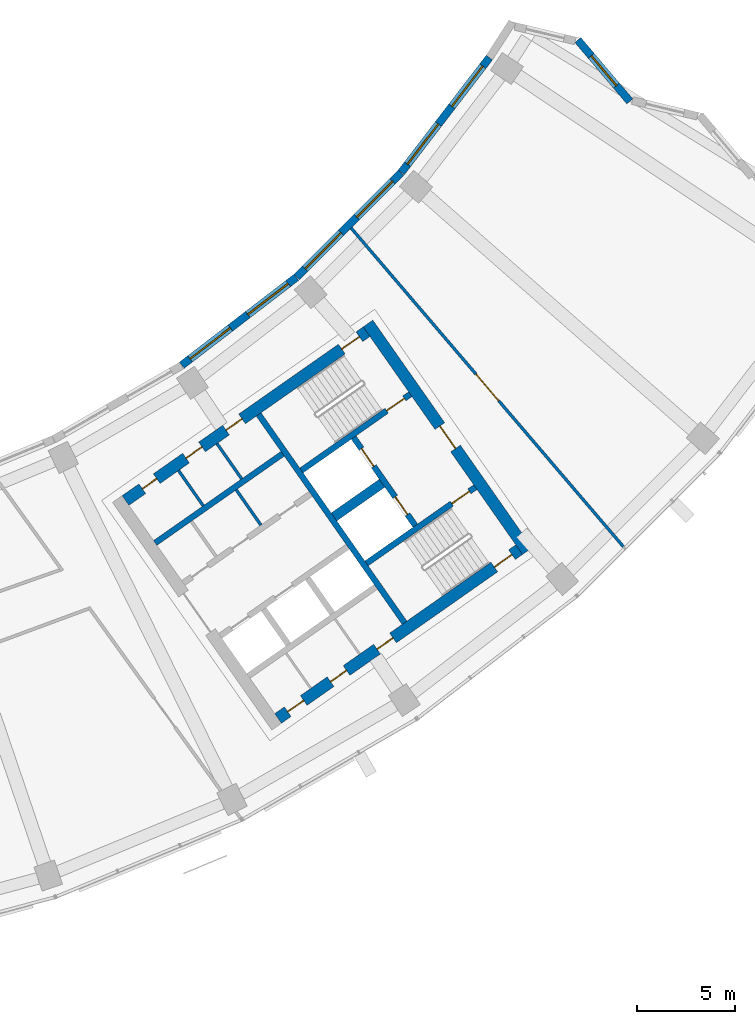
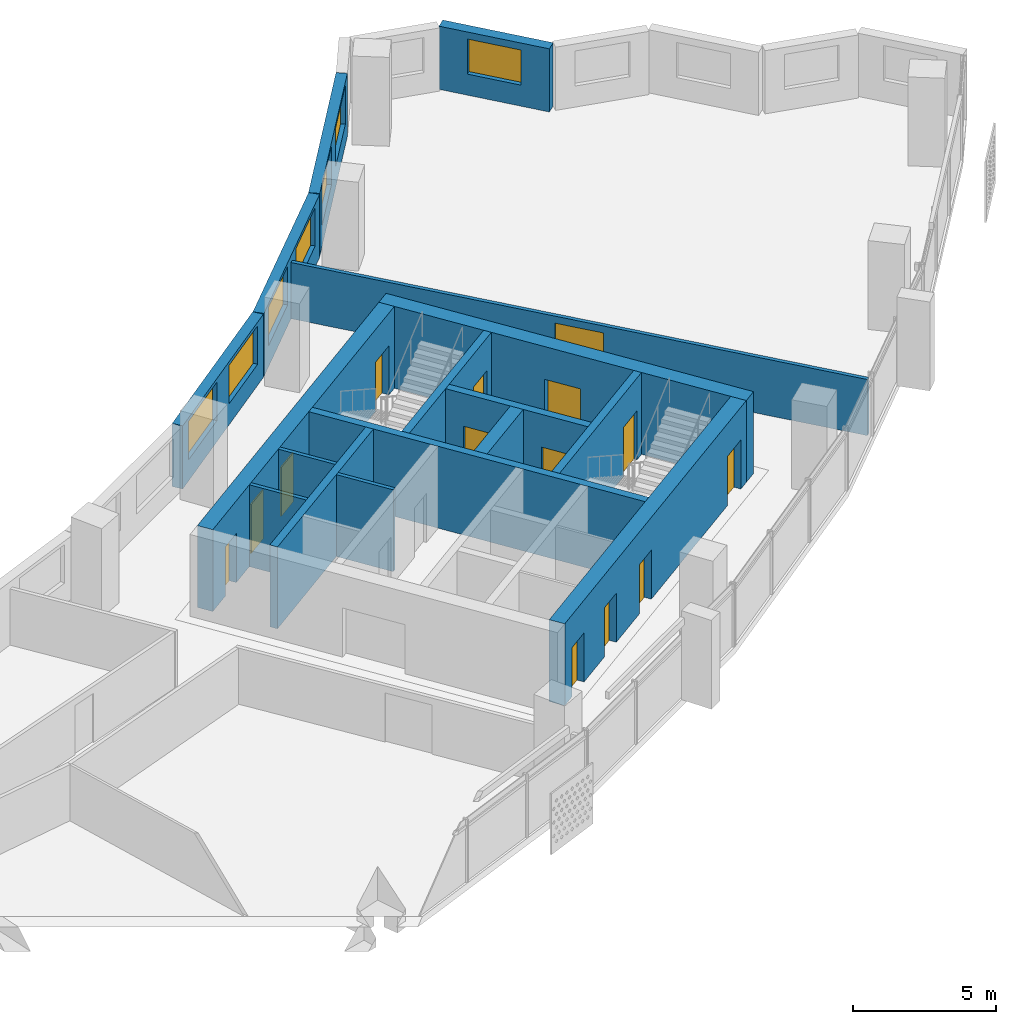
# One storey, part 7 of 27: 17 walls, 14 doors, 7 windows, 21 openings.
"""IFC4 building model written with IfcOpenShell, lengths in metres."""

import ifcopenshell
import ifcopenshell.guid

model = None  # the IFC model being written
_history = None  # IfcOwnerHistory: only IFC2X3 demands one
_inside = {}  # id of a spatial element -> (the spatial element, [elements in it])
_under = {}  # id of a project, library or spatial element -> (it, [spatial elements below it])
_declared = {}  # id of a project -> (the project, [libraries it declares])
_typed = {}  # id of a type object -> (the type object, [elements of that type])
_made_of = {}  # id of a material, layer set ... -> (it, [elements and type objects made of it])


def new_model(schema):
    """Start an empty IFC model of exactly this schema.

    Asked for "IFC4X3", IfcOpenShell would pick the latest addendum, in which some entities
    have other attributes; the version numbers below select the first issue.
    IFC2X3 requires an IfcOwnerHistory on every rooted entity: one is made here for all.
    """
    global model, _history
    if schema == "IFC4X3":
        model = ifcopenshell.file(schema_version=(4, 3, 0, 0))
    else:
        model = ifcopenshell.file(schema=schema)
    _inside.clear()
    _under.clear()
    _declared.clear()
    _typed.clear()
    _made_of.clear()
    _history = None
    if model.schema == "IFC2X3":
        org = make("IfcOrganization", Name="unknown")
        user = make(
            "IfcPersonAndOrganization",
            ThePerson=make("IfcPerson", FamilyName="unknown"),
            TheOrganization=org,
        )
        app = make(
            "IfcApplication",
            ApplicationDeveloper=org,
            Version="unknown",
            ApplicationFullName="unknown",
            ApplicationIdentifier="unknown",
        )
        _history = make(
            "IfcOwnerHistory",
            OwningUser=user,
            OwningApplication=app,
            ChangeAction="ADDED",
            CreationDate=0,
        )
    return model


def make(cls, **values):
    """One entity of the class cls with the attributes given. An attribute that is None is left unset."""
    return model.create_entity(
        cls, **{name: value for name, value in values.items() if value is not None}
    )


def rooted(cls, **values):
    """An entity with a GlobalId (a new one), such as an element, a storey or a relation."""
    return make(cls, GlobalId=ifcopenshell.guid.new(), OwnerHistory=_history, **values)


def si_unit(unit_type, name, prefix=None):
    """IfcSIUnit, for example si_unit("LENGTHUNIT", "METRE", prefix="MILLI")."""
    return make("IfcSIUnit", UnitType=unit_type, Prefix=prefix, Name=name)


def assignment(units):
    """IfcUnitAssignment: the units of a project."""
    return None if units is None else make("IfcUnitAssignment", Units=units)


def point(xyz):
    """IfcCartesianPoint."""
    return None if xyz is None else make("IfcCartesianPoint", Coordinates=xyz)


def direction(xyz):
    """IfcDirection."""
    return None if xyz is None else make("IfcDirection", DirectionRatios=xyz)


def frame(location, z_axis=None, x_axis=None):
    """IfcAxis2Placement3D, a coordinate frame: its origin and axes. An axis left out is left unset."""
    return make(
        "IfcAxis2Placement3D",
        Location=point(location),
        Axis=direction(z_axis),
        RefDirection=direction(x_axis),
    )


def frame_2d(location, x_axis=None):
    """IfcAxis2Placement2D, a coordinate frame in the plane: its origin and x axis."""
    return make(
        "IfcAxis2Placement2D", Location=point(location), RefDirection=direction(x_axis)
    )


def origin():
    """The frame at (0, 0, 0) with its axes left unset."""
    return frame((0.0, 0.0, 0.0))


def place(relative_to, where):
    """IfcLocalPlacement: puts the frame where relative to a parent placement (None: the world)."""
    return make(
        "IfcLocalPlacement", PlacementRelTo=relative_to, RelativePlacement=where
    )


def context(
    kind, dimensions, precision=None, world=None, true_north=None, identifier=None
):
    """IfcGeometricRepresentationContext, for example the 3D "Model" context."""
    return make(
        "IfcGeometricRepresentationContext",
        ContextIdentifier=identifier,
        ContextType=kind,
        CoordinateSpaceDimension=dimensions,
        Precision=precision,
        WorldCoordinateSystem=world,
        TrueNorth=true_north,
    )


def subcontext(parent, identifier, kind, view, scale=None):
    """IfcGeometricRepresentationSubContext, for example "Body" below "Model"."""
    return make(
        "IfcGeometricRepresentationSubContext",
        ContextIdentifier=identifier,
        ContextType=kind,
        ParentContext=parent,
        TargetScale=scale,
        TargetView=view,
    )


def project(units=None, contexts=None):
    """IfcProject with its units and contexts."""
    return rooted(
        "IfcProject",
        Name="project",
        RepresentationContexts=contexts,
        UnitsInContext=assignment(units),
    )


def spatial(cls, under=None, at=None, **own):
    """A site, building, storey or space (cls), placed at a placement, below another one or the project."""
    s = rooted(cls, ObjectPlacement=at, **own)
    if under is not None:
        _under.setdefault(under.id(), (under, []))[1].append(s)
    return s


def profile(cls, at=None, kind="AREA", **sizes):
    """A parametric profile (cls). Its sizes go by their IFC names, for example OverallWidth=200.0."""
    return make(cls, ProfileType=kind, Position=at, **sizes)


def rectangle(**sizes):
    """IfcRectangleProfileDef."""
    return profile("IfcRectangleProfileDef", **sizes)


def extrude(swept, where, along, depth):
    """IfcExtrudedAreaSolid: the profile swept, set in the frame where, extruded along a direction by depth."""
    return make(
        "IfcExtrudedAreaSolid",
        SweptArea=swept,
        Position=where,
        ExtrudedDirection=direction(along),
        Depth=depth,
    )


def shape(context_of_items, identifier, shape_type, items):
    """IfcShapeRepresentation: the items that make up one representation, for example the "Body"."""
    return make(
        "IfcShapeRepresentation",
        ContextOfItems=context_of_items,
        RepresentationIdentifier=identifier,
        RepresentationType=shape_type,
        Items=items,
    )


def material(Name=None, Category=None):
    """IfcMaterial."""
    return make("IfcMaterial", Name=Name, Category=Category)


def layer(
    of_material, thickness, ventilated=None, Name=None, Category=None, Priority=None
):
    """IfcMaterialLayer: one layer of a wall or slab, of a material (None: an air gap)."""
    return make(
        "IfcMaterialLayer",
        Material=of_material,
        LayerThickness=thickness,
        IsVentilated=ventilated,
        Name=Name,
        Category=Category,
        Priority=Priority,
    )


def layer_set(layers, Name=None):
    """IfcMaterialLayerSet."""
    return make("IfcMaterialLayerSet", MaterialLayers=layers, LayerSetName=Name)


def made_of(thing, what):
    """Note that an element or type object is made of a material, layer set ...; save() writes the relation."""
    if what is not None:
        _made_of.setdefault(what.id(), (what, []))[1].append(thing)
    return thing


def type_object(cls, material=None, **own):
    """A type object (cls), such as IfcWallType, which elements share."""
    return made_of(rooted(cls, **own), material)


def element(
    cls,
    number,
    at=None,
    inside=None,
    cuts=None,
    type_object=None,
    material=None,
    context=None,
    identifier="Body",
    shape_type=None,
    held_by="IfcProductDefinitionShape",
    body=None,
    shapes=None,
    **own,
):
    """One element of the class cls, such as IfcWall. Its Tag is "e" and its number.

    at: its placement. inside: the storey or other place that contains it. cuts: it is an
    opening in that element (IfcRelVoidsElement). A single representation is given by context,
    identifier, shape_type and body (its items); several are given by shapes. held_by: the class
    of the entity that holds the representations. save() writes the other relations.
    """
    e = rooted(cls, Tag="e%d" % number, ObjectPlacement=at, **own)
    if body is not None:
        shapes = [shape(context, identifier, shape_type, body)]
    if shapes is not None:
        e.Representation = make(held_by, Representations=shapes)
    if inside is not None:
        _inside.setdefault(inside.id(), (inside, []))[1].append(e)
    if cuts is not None:
        rooted(
            "IfcRelVoidsElement", RelatingBuildingElement=cuts, RelatedOpeningElement=e
        )
    if type_object is not None:
        _typed.setdefault(type_object.id(), (type_object, []))[1].append(e)
    return made_of(e, material)


def fill(opening, filler):
    """IfcRelFillsElement: the door or window that sits in an opening."""
    return rooted(
        "IfcRelFillsElement",
        RelatingOpeningElement=opening,
        RelatedBuildingElement=filler,
    )


def aggregate(whole, parts):
    """IfcRelAggregates: a whole, such as a stair, and the parts it consists of."""
    return rooted("IfcRelAggregates", RelatingObject=whole, RelatedObjects=parts)


def save(model, path):
    """Write the relations noted so far, then the file.

    IfcRelAggregates (storeys below a building ...), IfcRelContainedInSpatialStructure (elements
    in a storey), IfcRelDefinesByType, IfcRelAssociatesMaterial and IfcRelDeclares: one each for
    every whole, place, type object, material and project.
    """
    for whole, parts in _under.values():
        aggregate(whole, parts)
    for where, things in _inside.values():
        rooted(
            "IfcRelContainedInSpatialStructure",
            RelatedElements=things,
            RelatingStructure=where,
        )
    for kind, things in _typed.values():
        rooted("IfcRelDefinesByType", RelatedObjects=things, RelatingType=kind)
    for what, things in _made_of.values():
        rooted("IfcRelAssociatesMaterial", RelatedObjects=things, RelatingMaterial=what)
    for by, libraries in _declared.values():
        rooted("IfcRelDeclares", RelatingContext=by, RelatedDefinitions=libraries)
    model.write(path)


model = new_model("IFC4")

# Units and contexts
model_context = context("Model", 3, precision=1e-05, world=origin(), true_north=direction((0.0, 1.0)))
body_context = subcontext(model_context, "Body", "Model", "MODEL_VIEW")
ifc_project = project(units=[si_unit("LENGTHUNIT", "METRE"), si_unit("AREAUNIT", "SQUARE_METRE"), si_unit("VOLUMEUNIT", "CUBIC_METRE"), si_unit("PLANEANGLEUNIT", "RADIAN"), si_unit("MASSUNIT", "GRAM", prefix="KILO")], contexts=[model_context])

# Site, building, storey
site_placement = place(None, origin())
site = spatial("IfcSite", under=ifc_project, at=site_placement, CompositionType="ELEMENT")
building_placement = place(site_placement, origin())
building = spatial("IfcBuilding", under=site, at=building_placement, Name="Qamariyya Broadcast Tower", CompositionType="ELEMENT")
storey_placement = place(building_placement, frame((0.0, 0.0, 175.89990234375)))
storey = spatial("IfcBuildingStorey", under=building, at=storey_placement, Name="L41", CompositionType="ELEMENT", Elevation=175.89990234375)

# Wall, opening, door
ifc_material_1 = material(Name="Concrete C60/75", Category="concrete")
ifc_layer_1 = layer(ifc_material_1, 0.60009765625)
ifc_layer_set_1 = layer_set([ifc_layer_1], Name="Core wall 600 mm Concrete C60/75")
wall_type_1 = type_object("IfcWallType", Name="Core wall 600 mm Concrete C60/75", PredefinedType="SHEAR", material=ifc_layer_set_1)
wall_1_placement = place(storey_placement, frame((49.4833984375, -57.031494140625, 0.0), z_axis=(0.0, 0.0, 1.0), x_axis=(-0.573560421458, 0.819163257805, 0.0)))
wall_1 = element("IfcWall", 1, at=wall_1_placement, inside=storey, type_object=wall_type_1, Name="k-E-L41-WH", PredefinedType="SHEAR", context=body_context, shape_type="SweptSolid", body=[
    extrude(rectangle(XDim=14.199951171875, YDim=0.60009765625, at=frame_2d((7.10009765625, 0.0))), origin(), (0.0, 0.0, 1.0), 3.5),
])
opening_1_placement = place(wall_1_placement, frame((6.39990234375, 0.0, 0.0)))
opening_1 = element("IfcOpeningElement", 2, at=opening_1_placement, cuts=wall_1, Name="Opening KD2-E1", PredefinedType="OPENING", context=body_context, shape_type="SweptSolid", body=[
    extrude(rectangle(XDim=1.39990234375, YDim=2.10009765625, at=frame_2d((0.699951171875, 1.050048828125))), frame((0.0, 0.31005859375, 0.0), z_axis=(0.0, -1.0, 0.0), x_axis=(1.0, 0.0, 0.0)), (0.0, 0.0, 1.0), 0.6201171875),
])
ifc_material_2 = material(Name="Steel fire-resisting door leaf", Category="steel")
door_type_1 = type_object("IfcDoorType", Name="Fire-fighting lobby door KD2", OperationType="DOUBLE_DOOR_SINGLE_SWING", PredefinedType="DOOR", material=ifc_material_2)
door_1_placement = place(opening_1_placement, origin())
door_1 = element("IfcDoor", 3, at=door_1_placement, inside=storey, type_object=door_type_1, Name="k-E-L41-WH-D15", OperationType="DOUBLE_DOOR_SINGLE_SWING", OverallHeight=2.10009765625, OverallWidth=1.39990234375, PredefinedType="DOOR", context=body_context, shape_type="SweptSolid", body=[
    extrude(rectangle(XDim=1.39990234375, YDim=2.10009765625, at=frame_2d((0.699951171875, 1.050048828125))), frame((0.0, 0.02490234375, 0.0), z_axis=(0.0, -1.0, 0.0), x_axis=(1.0, 0.0, 0.0)), (0.0, 0.0, 1.0), 0.050048828125),
])
fill(opening_1, door_1)

# Wall, openings, doors
wall_2_placement = place(storey_placement, frame((28.940673828125, -54.447021484375, 0.0), z_axis=(0.0, 0.0, 1.0), x_axis=(0.819153391756, 0.573574511963, 0.0)))
wall_2 = element("IfcWall", 4, at=wall_2_placement, inside=storey, type_object=wall_type_1, Name="k-E-L41-WI", PredefinedType="SHEAR", context=body_context, shape_type="SweptSolid", body=[
    extrude(rectangle(XDim=15.04541015625, YDim=0.60009765625, at=frame_2d((7.522705078125, 0.0))), origin(), (0.0, 0.0, 1.0), 3.5),
])
opening_2_placement = place(wall_2_placement, frame((1.050048828125, 0.0, 0.0)))
opening_2 = element("IfcOpeningElement", 5, at=opening_2_placement, cuts=wall_2, Name="Opening KD5-E1", PredefinedType="OPENING", context=body_context, shape_type="SweptSolid", body=[
    extrude(rectangle(XDim=0.89990234375, YDim=2.10009765625, at=frame_2d((0.449951171875, 1.050048828125))), frame((0.0, 0.31005859375, 0.0), z_axis=(0.0, -1.0, 0.0), x_axis=(1.0, 0.0, 0.0)), (0.0, 0.0, 1.0), 0.6201171875),
])
opening_3_placement = place(wall_2_placement, frame((3.77490234375, 0.0, 0.0)))
opening_3 = element("IfcOpeningElement", 6, at=opening_3_placement, cuts=wall_2, Name="Opening KD7-E1", PredefinedType="OPENING", context=body_context, shape_type="SweptSolid", body=[
    extrude(rectangle(XDim=1.0, YDim=2.10009765625, at=frame_2d((0.5, 1.050048828125))), frame((0.0, 0.31005859375, 0.0), z_axis=(0.0, -1.0, 0.0), x_axis=(1.0, 0.0, 0.0)), (0.0, 0.0, 1.0), 0.6201171875),
])
opening_4_placement = place(wall_2_placement, frame((6.27490234375, 0.0, 0.0)))
opening_4 = element("IfcOpeningElement", 7, at=opening_4_placement, cuts=wall_2, Name="Opening KD6-E3", PredefinedType="OPENING", context=body_context, shape_type="SweptSolid", body=[
    extrude(rectangle(XDim=1.0, YDim=2.10009765625, at=frame_2d((0.5, 1.050048828125))), frame((0.0, 0.31005859375, 0.0), z_axis=(0.0, -1.0, 0.0), x_axis=(1.0, 0.0, 0.0)), (0.0, 0.0, 1.0), 0.6201171875),
])
opening_5_placement = place(wall_2_placement, frame((13.495361328125, 0.0, 0.0)))
opening_5 = element("IfcOpeningElement", 8, at=opening_5_placement, cuts=wall_2, Name="Opening KD1-E1", PredefinedType="OPENING", context=body_context, shape_type="SweptSolid", body=[
    extrude(rectangle(XDim=1.10009765625, YDim=2.10009765625, at=frame_2d((0.550048828125, 1.050048828125))), frame((0.0, 0.31005859375, 0.0), z_axis=(0.0, -1.0, 0.0), x_axis=(1.0, 0.0, 0.0)), (0.0, 0.0, 1.0), 0.6201171875),
])
door_type_2 = type_object("IfcDoorType", Name="Accessible toilet door KD7", OperationType="SINGLE_SWING_LEFT", PredefinedType="DOOR", material=ifc_material_2)
door_2_placement = place(opening_3_placement, origin())
door_2 = element("IfcDoor", 9, at=door_2_placement, inside=storey, type_object=door_type_2, Name="k-E-L41-WI-D8", OperationType="SINGLE_SWING_RIGHT", OverallHeight=2.10009765625, OverallWidth=1.0, PredefinedType="DOOR", context=body_context, shape_type="SweptSolid", body=[
    extrude(rectangle(XDim=1.0, YDim=2.10009765625, at=frame_2d((0.5, 1.050048828125))), frame((0.0, 0.02490234375, 0.0), z_axis=(0.0, -1.0, 0.0), x_axis=(1.0, 0.0, 0.0)), (0.0, 0.0, 1.0), 0.050048828125),
])
fill(opening_3, door_2)
door_type_3 = type_object("IfcDoorType", Name="Core room door KD6", OperationType="SINGLE_SWING_LEFT", PredefinedType="DOOR", material=ifc_material_2)
door_3_placement = place(opening_4_placement, origin())
door_3 = element("IfcDoor", 10, at=door_3_placement, inside=storey, type_object=door_type_3, Name="k-E-L41-WI-D9", OperationType="SINGLE_SWING_LEFT", OverallHeight=2.10009765625, OverallWidth=1.0, PredefinedType="DOOR", context=body_context, shape_type="SweptSolid", body=[
    extrude(rectangle(XDim=1.0, YDim=2.10009765625, at=frame_2d((0.5, 1.050048828125))), frame((0.0, 0.02490234375, 0.0), z_axis=(0.0, -1.0, 0.0), x_axis=(1.0, 0.0, 0.0)), (0.0, 0.0, 1.0), 0.050048828125),
])
fill(opening_4, door_3)
door_type_4 = type_object("IfcDoorType", Name="Stair door KD1", OperationType="SINGLE_SWING_LEFT", PredefinedType="DOOR", material=ifc_material_2)
door_4_placement = place(opening_5_placement, origin())
door_4 = element("IfcDoor", 11, at=door_4_placement, inside=storey, type_object=door_type_4, Name="k-E-L41-WI-D16", OperationType="SINGLE_SWING_RIGHT", OverallHeight=2.10009765625, OverallWidth=1.10009765625, PredefinedType="DOOR", context=body_context, shape_type="SweptSolid", body=[
    extrude(rectangle(XDim=1.10009765625, YDim=2.10009765625, at=frame_2d((0.550048828125, 1.050048828125))), frame((0.0, 0.02490234375, 0.0), z_axis=(0.0, -1.0, 0.0), x_axis=(1.0, 0.0, 0.0)), (0.0, 0.0, 1.0), 0.050048828125),
])
fill(opening_5, door_4)
door_type_5 = type_object("IfcDoorType", Name="Toilet door KD5", OperationType="SINGLE_SWING_LEFT", PredefinedType="DOOR", material=ifc_material_2)
door_5_placement = place(opening_2_placement, origin())
door_5 = element("IfcDoor", 12, at=door_5_placement, inside=storey, type_object=door_type_5, Name="k-E-L41-WI-D7", OperationType="SINGLE_SWING_LEFT", OverallHeight=2.10009765625, OverallWidth=0.89990234375, PredefinedType="DOOR", context=body_context, shape_type="SweptSolid", body=[
    extrude(rectangle(XDim=0.89990234375, YDim=2.10009765625, at=frame_2d((0.449951171875, 1.050048828125))), frame((0.0, 0.02490234375, 0.0), z_axis=(0.0, -1.0, 0.0), x_axis=(1.0, 0.0, 0.0)), (0.0, 0.0, 1.0), 0.050048828125),
])
fill(opening_2, door_5)

wall_3_placement = place(storey_placement, frame((36.7412109375, -65.58740234375, 0.0), z_axis=(0.0, 0.0, 1.0), x_axis=(0.819153391756, 0.573574511963, 0.0)))
wall_3 = element("IfcWall", 13, at=wall_3_placement, inside=storey, type_object=wall_type_1, Name="k-E-L41-WO", PredefinedType="SHEAR", context=body_context, shape_type="SweptSolid", body=[
    extrude(rectangle(XDim=15.04541015625, YDim=0.60009765625, at=frame_2d((7.522705078125, 0.0))), origin(), (0.0, 0.0, 1.0), 3.5),
])
opening_6_placement = place(wall_3_placement, frame((0.60009765625, 0.0, 0.0)))
opening_6 = element("IfcOpeningElement", 14, at=opening_6_placement, cuts=wall_3, Name="Opening KD4-E2", PredefinedType="OPENING", context=body_context, shape_type="SweptSolid", body=[
    extrude(rectangle(XDim=1.0, YDim=2.10009765625, at=frame_2d((0.5, 1.050048828125))), frame((0.0, 0.31005859375, 0.0), z_axis=(0.0, -1.0, 0.0), x_axis=(1.0, 0.0, 0.0)), (0.0, 0.0, 1.0), 0.6201171875),
])
opening_7_placement = place(wall_3_placement, frame((3.27490234375, 0.0, 0.0)))
opening_7 = element("IfcOpeningElement", 15, at=opening_7_placement, cuts=wall_3, Name="Opening KD4-E3", PredefinedType="OPENING", context=body_context, shape_type="SweptSolid", body=[
    extrude(rectangle(XDim=1.0, YDim=2.10009765625, at=frame_2d((0.5, 1.050048828125))), frame((0.0, 0.31005859375, 0.0), z_axis=(0.0, -1.0, 0.0), x_axis=(1.0, 0.0, 0.0)), (0.0, 0.0, 1.0), 0.6201171875),
])
opening_8_placement = place(wall_3_placement, frame((6.175048828125, 0.0, 0.0)))
opening_8 = element("IfcOpeningElement", 16, at=opening_8_placement, cuts=wall_3, Name="Opening KD4-E4", PredefinedType="OPENING", context=body_context, shape_type="SweptSolid", body=[
    extrude(rectangle(XDim=1.0, YDim=2.10009765625, at=frame_2d((0.5, 1.050048828125))), frame((0.0, 0.31005859375, 0.0), z_axis=(0.0, -1.0, 0.0), x_axis=(1.0, 0.0, 0.0)), (0.0, 0.0, 1.0), 0.6201171875),
])
opening_9_placement = place(wall_3_placement, frame((13.495361328125, 0.0, 0.0)))
opening_9 = element("IfcOpeningElement", 17, at=opening_9_placement, cuts=wall_3, Name="Opening KD1-E3", PredefinedType="OPENING", context=body_context, shape_type="SweptSolid", body=[
    extrude(rectangle(XDim=1.10009765625, YDim=2.10009765625, at=frame_2d((0.550048828125, 1.050048828125))), frame((0.0, 0.31005859375, 0.0), z_axis=(0.0, -1.0, 0.0), x_axis=(1.0, 0.0, 0.0)), (0.0, 0.0, 1.0), 0.6201171875),
])
door_type_6 = type_object("IfcDoorType", Name="Riser and plant door KD4", OperationType="SINGLE_SWING_LEFT", PredefinedType="DOOR", material=ifc_material_2)
door_6_placement = place(opening_6_placement, origin())
door_6 = element("IfcDoor", 18, at=door_6_placement, inside=storey, type_object=door_type_6, Name="k-E-L41-WO-D10", OperationType="SINGLE_SWING_RIGHT", OverallHeight=2.10009765625, OverallWidth=1.0, PredefinedType="DOOR", context=body_context, shape_type="SweptSolid", body=[
    extrude(rectangle(XDim=1.0, YDim=2.10009765625, at=frame_2d((0.5, 1.050048828125))), frame((0.0, 0.02490234375, 0.0), z_axis=(0.0, -1.0, 0.0), x_axis=(1.0, 0.0, 0.0)), (0.0, 0.0, 1.0), 0.050048828125),
])
fill(opening_6, door_6)
door_7_placement = place(opening_7_placement, origin())
door_7 = element("IfcDoor", 19, at=door_7_placement, inside=storey, type_object=door_type_6, Name="k-E-L41-WO-D11", OperationType="SINGLE_SWING_LEFT", OverallHeight=2.10009765625, OverallWidth=1.0, PredefinedType="DOOR", context=body_context, shape_type="SweptSolid", body=[
    extrude(rectangle(XDim=1.0, YDim=2.10009765625, at=frame_2d((0.5, 1.050048828125))), frame((0.0, 0.02490234375, 0.0), z_axis=(0.0, -1.0, 0.0), x_axis=(1.0, 0.0, 0.0)), (0.0, 0.0, 1.0), 0.050048828125),
])
fill(opening_7, door_7)
door_8_placement = place(opening_8_placement, origin())
door_8 = element("IfcDoor", 20, at=door_8_placement, inside=storey, type_object=door_type_6, Name="k-E-L41-WO-D12", OperationType="SINGLE_SWING_RIGHT", OverallHeight=2.10009765625, OverallWidth=1.0, PredefinedType="DOOR", context=body_context, shape_type="SweptSolid", body=[
    extrude(rectangle(XDim=1.0, YDim=2.10009765625, at=frame_2d((0.5, 1.050048828125))), frame((0.0, 0.02490234375, 0.0), z_axis=(0.0, -1.0, 0.0), x_axis=(1.0, 0.0, 0.0)), (0.0, 0.0, 1.0), 0.050048828125),
])
fill(opening_8, door_8)
door_9_placement = place(opening_9_placement, origin())
door_9 = element("IfcDoor", 21, at=door_9_placement, inside=storey, type_object=door_type_4, Name="k-E-L41-WO-D18", OperationType="SINGLE_SWING_LEFT", OverallHeight=2.10009765625, OverallWidth=1.10009765625, PredefinedType="DOOR", context=body_context, shape_type="SweptSolid", body=[
    extrude(rectangle(XDim=1.10009765625, YDim=2.10009765625, at=frame_2d((0.550048828125, 1.050048828125))), frame((0.0, 0.02490234375, 0.0), z_axis=(0.0, -1.0, 0.0), x_axis=(1.0, 0.0, 0.0)), (0.0, 0.0, 1.0), 0.050048828125),
])
fill(opening_9, door_9)

# Wall, opening, door
ifc_material_3 = material(Name="Gypsum board partition")
ifc_layer_2 = layer(ifc_material_3, 0.14990234375)
ifc_layer_set_2 = layer_set([ifc_layer_2], Name="Corridor partition 150 EI 60")
wall_type_2 = type_object("IfcWallType", Name="Corridor partition 150 EI 60", PredefinedType="PARTITIONING", material=ifc_layer_set_2)
wall_4_placement = place(storey_placement, frame((40.478759765625, -40.52294921875, 0.0), z_axis=(0.0, 0.0, 1.0), x_axis=(0.649633284071, -0.760247720303, 0.0)))
wall_4 = element("IfcWall", 22, at=wall_4_placement, inside=storey, type_object=wall_type_2, Name="Partition L41-027", PredefinedType="PARTITIONING", context=body_context, shape_type="SweptSolid", body=[
    extrude(rectangle(XDim=21.420166015625, YDim=0.14990234375, at=frame_2d((10.7099609375, 0.0))), origin(), (0.0, 0.0, 1.0), 2.400146484375),
])
opening_10_placement = place(wall_4_placement, frame((9.81005859375, 0.0, 0.0)))
opening_10 = element("IfcOpeningElement", 23, at=opening_10_placement, cuts=wall_4, Name="Opening L41-D13", PredefinedType="OPENING", context=body_context, shape_type="SweptSolid", body=[
    extrude(rectangle(XDim=1.800048828125, YDim=2.10009765625, at=frame_2d((0.89990234375, 1.050048828125))), frame((0.0, 0.0849609375, 0.0), z_axis=(0.0, -1.0, 0.0), x_axis=(1.0, 0.0, 0.0)), (0.0, 0.0, 1.0), 0.169921875),
])
ifc_material_4 = material(Name="Timber fire door leaf", Category="wood")
door_type_7 = type_object("IfcDoorType", Name="Double fire door 1800 x 2100 FD60", OperationType="NOTDEFINED", PredefinedType="DOOR", material=ifc_material_4)
door_10_placement = place(opening_10_placement, origin())
door_10 = element("IfcDoor", 24, at=door_10_placement, inside=storey, type_object=door_type_7, Name="Door L41-D13", OperationType="DOUBLE_DOOR_SINGLE_SWING", OverallHeight=2.10009765625, OverallWidth=1.800048828125, PredefinedType="DOOR", context=body_context, shape_type="SweptSolid", body=[
    extrude(rectangle(XDim=1.800048828125, YDim=2.10009765625, at=frame_2d((0.89990234375, 1.050048828125))), frame((0.0, 0.02490234375, 0.0), z_axis=(0.0, -1.0, 0.0), x_axis=(1.0, 0.0, 0.0)), (0.0, 0.0, 1.0), 0.050048828125),
])
fill(opening_10, door_10)

# Walls
ifc_layer_3 = layer(ifc_material_1, 0.5)
ifc_layer_set_3 = layer_set([ifc_layer_3], Name="Fire-fighting lobby divider wall 500 mm Concrete C60/75")
wall_type_3 = type_object("IfcWallType", Name="Fire-fighting lobby divider wall 500 mm Concrete C60/75", PredefinedType="SOLIDWALL", material=ifc_layer_set_3)
wall_5_placement = place(storey_placement, frame((39.59912109375, -55.28515625, 0.0), z_axis=(0.0, 0.0, 1.0), x_axis=(0.819136323161, 0.573598887793, 0.0)))
element("IfcWall", 25, at=wall_5_placement, inside=storey, type_object=wall_type_3, Name="k-E-L41-FD", PredefinedType="SOLIDWALL", context=body_context, shape_type="SweptSolid", body=[
    extrude(rectangle(XDim=2.999755859375, YDim=0.5, at=frame_2d((1.5, 0.0))), origin(), (0.0, 0.0, 1.0), 3.5),
])
ifc_material_5 = material(Name="Gypsum board partition on steel studs", Category="steel")
ifc_layer_4 = layer(ifc_material_5, 0.14990234375)
ifc_layer_set_4 = layer_set([ifc_layer_4], Name="Gypsum board partition 150 mm")
wall_type_4 = type_object("IfcWallType", Name="Gypsum board partition 150 mm", PredefinedType="PARTITIONING", material=ifc_layer_set_4)
wall_6_placement = place(storey_placement, frame((35.86328125, -55.70361328125, 0.0), z_axis=(0.0, 0.0, 1.0), x_axis=(-0.573507030513, 0.819200638399, 0.0)))
element("IfcWall", 26, at=wall_6_placement, inside=storey, type_object=wall_type_4, Name="k-E-L41-NC495", PredefinedType="PARTITIONING", context=body_context, shape_type="SweptSolid", body=[
    extrude(rectangle(XDim=2.199951171875, YDim=0.14990234375, at=frame_2d((1.10009765625, 0.0))), origin(), (0.0, 0.0, 1.0), 3.5),
])
wall_7_placement = place(storey_placement, frame((32.9140625, -54.716796875, 0.0), z_axis=(0.0, 0.0, 1.0), x_axis=(-0.573581496053, 0.819148501424, 0.0)))
element("IfcWall", 27, at=wall_7_placement, inside=storey, type_object=wall_type_4, Name="k-E-L41-NP310", PredefinedType="PARTITIONING", context=body_context, shape_type="SweptSolid", body=[
    extrude(rectangle(XDim=2.2001953125, YDim=0.14990234375, at=frame_2d((1.10009765625, 0.0))), origin(), (0.0, 0.0, 1.0), 3.5),
])
wall_8_placement = place(storey_placement, frame((34.8798828125, -53.340087890625, 0.0), z_axis=(0.0, 0.0, 1.0), x_axis=(-0.573559170999, 0.819164133348, 0.0)))
element("IfcWall", 28, at=wall_8_placement, inside=storey, type_object=wall_type_4, Name="k-E-L41-NP550", PredefinedType="PARTITIONING", context=body_context, shape_type="SweptSolid", body=[
    extrude(rectangle(XDim=2.19970703125, YDim=0.14990234375, at=frame_2d((1.099853515625, 0.0))), origin(), (0.0, 0.0, 1.0), 3.5),
])
ifc_layer_5 = layer(ifc_material_1, 0.300048828125)
ifc_layer_set_5 = layer_set([ifc_layer_5], Name="Lift shaft wall 300 mm Concrete C60/75")
wall_type_5 = type_object("IfcWallType", Name="Lift shaft wall 300 mm Concrete C60/75", PredefinedType="SOLIDWALL", material=ifc_layer_set_5)
wall_9_placement = place(storey_placement, frame((43.204345703125, -60.69580078125, 0.0), z_axis=(0.0, 0.0, 1.0), x_axis=(-0.573571992966, 0.819155155563, 0.0)))
element("IfcWall", 29, at=wall_9_placement, inside=storey, type_object=wall_type_5, Name="k-E-L41-WL", PredefinedType="SOLIDWALL", context=body_context, shape_type="SweptSolid", body=[
    extrude(rectangle(XDim=13.000244140625, YDim=0.300048828125, at=frame_2d((6.5, 0.0))), origin(), (0.0, 0.0, 1.0), 3.5),
])
wall_10_placement = place(storey_placement, frame((30.460693359375, -56.61767578125, 0.0), z_axis=(0.0, 0.0, 1.0), x_axis=(0.819142461705, 0.573590121456, 0.0)))
element("IfcWall", 30, at=wall_10_placement, inside=storey, type_object=wall_type_5, Name="k-E-L41-NB0", PredefinedType="SOLIDWALL", context=body_context, shape_type="SweptSolid", body=[
    extrude(rectangle(XDim=7.949951171875, YDim=0.300048828125, at=frame_2d((3.97509765625, 0.0))), origin(), (0.0, 0.0, 1.0), 3.5),
])

# Wall, opening, door
wall_11_placement = place(storey_placement, frame((37.935546875, -52.90966796875, 0.0), z_axis=(0.0, 0.0, 1.0), x_axis=(0.819147518138, 0.57358290031, 0.0)))
wall_11 = element("IfcWall", 31, at=wall_11_placement, inside=storey, type_object=wall_type_5, Name="k-E-L41-NW", PredefinedType="SOLIDWALL", context=body_context, shape_type="SweptSolid", body=[
    extrude(rectangle(XDim=6.79541015625, YDim=0.300048828125, at=frame_2d((3.397705078125, 0.0))), origin(), (0.0, 0.0, 1.0), 3.5),
])
opening_11_placement = place(wall_11_placement, frame((5.3203125, 0.0, 0.0)))
opening_11 = element("IfcOpeningElement", 32, at=opening_11_placement, cuts=wall_11, Name="Opening KD1-E2", PredefinedType="OPENING", context=body_context, shape_type="SweptSolid", body=[
    extrude(rectangle(XDim=1.10009765625, YDim=2.10009765625, at=frame_2d((0.550048828125, 1.050048828125))), frame((0.0, 0.159912109375, 0.0), z_axis=(0.0, -1.0, 0.0), x_axis=(1.0, 0.0, 0.0)), (0.0, 0.0, 1.0), 0.320068359375),
])
door_11_placement = place(opening_11_placement, origin())
door_11 = element("IfcDoor", 33, at=door_11_placement, inside=storey, type_object=door_type_4, Name="k-E-L41-NW-D17", OperationType="SINGLE_SWING_LEFT", OverallHeight=2.10009765625, OverallWidth=1.10009765625, PredefinedType="DOOR", context=body_context, shape_type="SweptSolid", body=[
    extrude(rectangle(XDim=1.10009765625, YDim=2.10009765625, at=frame_2d((0.550048828125, 1.050048828125))), frame((0.0, 0.02490234375, 0.0), z_axis=(0.0, -1.0, 0.0), x_axis=(1.0, 0.0, 0.0)), (0.0, 0.0, 1.0), 0.050048828125),
])
fill(opening_11, door_11)

wall_12_placement = place(storey_placement, frame((41.262451171875, -57.66064453125, 0.0), z_axis=(0.0, 0.0, 1.0), x_axis=(0.819164398642, 0.573558792102, 0.0)))
wall_12 = element("IfcWall", 34, at=wall_12_placement, inside=storey, type_object=wall_type_5, Name="k-E-L41-SW", PredefinedType="SOLIDWALL", context=body_context, shape_type="SweptSolid", body=[
    extrude(rectangle(XDim=6.795166015625, YDim=0.300048828125, at=frame_2d((3.3974609375, 0.0))), origin(), (0.0, 0.0, 1.0), 3.5),
])
opening_12_placement = place(wall_12_placement, frame((5.3203125, 0.0, 0.0)))
opening_12 = element("IfcOpeningElement", 35, at=opening_12_placement, cuts=wall_12, Name="Opening KD1-E4", PredefinedType="OPENING", context=body_context, shape_type="SweptSolid", body=[
    extrude(rectangle(XDim=1.10009765625, YDim=2.10009765625, at=frame_2d((0.550048828125, 1.050048828125))), frame((0.0, 0.159912109375, 0.0), z_axis=(0.0, -1.0, 0.0), x_axis=(1.0, 0.0, 0.0)), (0.0, 0.0, 1.0), 0.320068359375),
])
door_12_placement = place(opening_12_placement, origin())
door_12 = element("IfcDoor", 36, at=door_12_placement, inside=storey, type_object=door_type_4, Name="k-E-L41-SW-D19", OperationType="SINGLE_SWING_LEFT", OverallHeight=2.10009765625, OverallWidth=1.10009765625, PredefinedType="DOOR", context=body_context, shape_type="SweptSolid", body=[
    extrude(rectangle(XDim=1.10009765625, YDim=2.10009765625, at=frame_2d((0.550048828125, 1.050048828125))), frame((0.0, 0.02490234375, 0.0), z_axis=(0.0, -1.0, 0.0), x_axis=(1.0, 0.0, 0.0)), (0.0, 0.0, 1.0), 0.050048828125),
])
fill(opening_12, door_12)

# Wall, openings, doors
wall_13_placement = place(storey_placement, frame((43.756591796875, -55.731201171875, 0.0), z_axis=(0.0, 0.0, 1.0), x_axis=(-0.573536818435, 0.819179783625, 0.0)))
wall_13 = element("IfcWall", 37, at=wall_13_placement, inside=storey, type_object=wall_type_5, Name="k-E-L41-FF", PredefinedType="SOLIDWALL", context=body_context, shape_type="SweptSolid", body=[
    extrude(rectangle(XDim=5.500244140625, YDim=0.300048828125, at=frame_2d((2.75, 0.0))), origin(), (0.0, 0.0, 1.0), 3.5),
])
opening_13_placement = place(wall_13_placement, frame((0.699951171875, 0.0, 0.0)))
opening_13 = element("IfcOpeningElement", 38, at=opening_13_placement, cuts=wall_13, Name="Opening LD", PredefinedType="OPENING", context=body_context, shape_type="SweptSolid", body=[
    extrude(rectangle(XDim=1.10009765625, YDim=2.10009765625, at=frame_2d((0.550048828125, 1.050048828125))), frame((0.0, 0.159912109375, 0.0), z_axis=(0.0, -1.0, 0.0), x_axis=(1.0, 0.0, 0.0)), (0.0, 0.0, 1.0), 0.320068359375),
])
opening_14_placement = place(wall_13_placement, frame((3.699951171875, 0.0, 0.0)))
opening_14 = element("IfcOpeningElement", 39, at=opening_14_placement, cuts=wall_13, Name="Opening LD", PredefinedType="OPENING", context=body_context, shape_type="SweptSolid", body=[
    extrude(rectangle(XDim=1.10009765625, YDim=2.10009765625, at=frame_2d((0.550048828125, 1.050048828125))), frame((0.0, 0.159912109375, 0.0), z_axis=(0.0, -1.0, 0.0), x_axis=(1.0, 0.0, 0.0)), (0.0, 0.0, 1.0), 0.320068359375),
])
door_type_8 = type_object("IfcDoorType", Name="Lift landing door LD", OperationType="DOUBLE_DOOR_SLIDING", PredefinedType="DOOR", material=ifc_material_2)
door_13_placement = place(opening_13_placement, origin())
door_13 = element("IfcDoor", 40, at=door_13_placement, inside=storey, type_object=door_type_8, Name="k-E-L41-FF-D13", OperationType="DOUBLE_DOOR_SLIDING", OverallHeight=2.10009765625, OverallWidth=1.10009765625, PredefinedType="DOOR", context=body_context, shape_type="SweptSolid", body=[
    extrude(rectangle(XDim=1.10009765625, YDim=2.10009765625, at=frame_2d((0.550048828125, 1.050048828125))), frame((0.0, 0.02490234375, 0.0), z_axis=(0.0, -1.0, 0.0), x_axis=(1.0, 0.0, 0.0)), (0.0, 0.0, 1.0), 0.050048828125),
])
fill(opening_13, door_13)
door_14_placement = place(opening_14_placement, origin())
door_14 = element("IfcDoor", 41, at=door_14_placement, inside=storey, type_object=door_type_8, Name="k-E-L41-FF-D14", OperationType="DOUBLE_DOOR_SLIDING", OverallHeight=2.10009765625, OverallWidth=1.10009765625, PredefinedType="DOOR", context=body_context, shape_type="SweptSolid", body=[
    extrude(rectangle(XDim=1.10009765625, YDim=2.10009765625, at=frame_2d((0.550048828125, 1.050048828125))), frame((0.0, 0.02490234375, 0.0), z_axis=(0.0, -1.0, 0.0), x_axis=(1.0, 0.0, 0.0)), (0.0, 0.0, 1.0), 0.050048828125),
])
fill(opening_14, door_14)

# Wall, opening, window
ifc_material_6 = material(Name="Terracotta", Category="masonry")
ifc_layer_6 = layer(ifc_material_6, 0.39990234375)
ifc_layer_set_6 = layer_set([ifc_layer_6], Name="Terracotta clad wall 400")
wall_type_6 = type_object("IfcWallType", Name="Terracotta clad wall 400", PredefinedType="SOLIDWALL", material=ifc_layer_set_6)
wall_14_placement = place(storey_placement, frame((54.72314453125, -34.04296875, 0.0), z_axis=(0.0, 0.0, 1.0), x_axis=(-0.646352301711, 0.763039122243, 0.0)))
wall_14 = element("IfcWall", 42, at=wall_14_placement, inside=storey, type_object=wall_type_6, Name="e-wl-L41-capE4", PredefinedType="SOLIDWALL", context=body_context, shape_type="SweptSolid", body=[
    extrude(rectangle(XDim=4.109130859375, YDim=0.39990234375, at=frame_2d((2.0546875, 0.0))), origin(), (0.0, 0.0, 1.0), 2.7001953125),
])
opening_15_placement = place(wall_14_placement, frame((1.0546875, 0.0, 0.89990234375)))
opening_15 = element("IfcOpeningElement", 43, at=opening_15_placement, cuts=wall_14, Name="Opening W4", PredefinedType="OPENING", context=body_context, shape_type="SweptSolid", body=[
    extrude(rectangle(XDim=2.0, YDim=1.5, at=frame_2d((1.0, 0.75))), frame((0.0, 0.2099609375, 0.0), z_axis=(0.0, -1.0, 0.0), x_axis=(1.0, 0.0, 0.0)), (0.0, 0.0, 1.0), 0.419921875),
])
ifc_material_7 = material(Name="Clear low-e double glazed unit in aluminium frame", Category="aluminium")
window_type_1 = type_object("IfcWindowType", Name="Horn bay window 2000 x 1500", PartitioningType="SINGLE_PANEL", PredefinedType="WINDOW", material=ifc_material_7)
window_1_placement = place(opening_15_placement, origin())
window_1 = element("IfcWindow", 44, at=window_1_placement, inside=storey, type_object=window_type_1, Name="e-w-L41-capE4", OverallHeight=1.5, OverallWidth=2.0, PartitioningType="SINGLE_PANEL", PredefinedType="WINDOW", context=body_context, shape_type="SweptSolid", body=[
    extrude(rectangle(XDim=2.0, YDim=1.5, at=frame_2d((1.0, 0.75))), frame((0.0, 0.030029296875, 0.0), z_axis=(0.0, -1.0, 0.0), x_axis=(1.0, 0.0, 0.0)), (0.0, 0.0, 1.0), 0.06005859375),
])
fill(opening_15, window_1)

# Wall, openings, windows
wall_15_placement = place(storey_placement, frame((37.674560546875, -43.036376953125, 0.0), z_axis=(0.0, 0.0, 1.0), x_axis=(-0.79334647843, -0.608770371457, 0.0)))
wall_15 = element("IfcWall", 45, at=wall_15_placement, inside=storey, type_object=wall_type_6, Name="e-wl-L41-in120", PredefinedType="SOLIDWALL", context=body_context, shape_type="SweptSolid", body=[
    extrude(rectangle(XDim=7.380615234375, YDim=0.39990234375, at=frame_2d((3.6904296875, 0.0))), origin(), (0.0, 0.0, 1.0), 2.7001953125),
])
opening_16_placement = place(wall_15_placement, frame((4.25439453125, 0.0, 0.89990234375)))
opening_16 = element("IfcOpeningElement", 46, at=opening_16_placement, cuts=wall_15, Name="Opening W1", PredefinedType="OPENING", context=body_context, shape_type="SweptSolid", body=[
    extrude(rectangle(XDim=2.60009765625, YDim=1.64990234375, at=frame_2d((1.300048828125, 0.824951171875))), frame((0.0, 0.2099609375, 0.0), z_axis=(0.0, -1.0, 0.0), x_axis=(1.0, 0.0, 0.0)), (0.0, 0.0, 1.0), 0.419921875),
])
opening_17_placement = place(wall_15_placement, frame((0.5263671875, 0.0, 0.89990234375)))
opening_17 = element("IfcOpeningElement", 47, at=opening_17_placement, cuts=wall_15, Name="Opening W1", PredefinedType="OPENING", context=body_context, shape_type="SweptSolid", body=[
    extrude(rectangle(XDim=2.60009765625, YDim=1.64990234375, at=frame_2d((1.300048828125, 0.824951171875))), frame((0.0, 0.2099609375, 0.0), z_axis=(0.0, -1.0, 0.0), x_axis=(1.0, 0.0, 0.0)), (0.0, 0.0, 1.0), 0.419921875),
])
window_type_2 = type_object("IfcWindowType", Name="Ribbon window 2600 x 1650", PartitioningType="SINGLE_PANEL", PredefinedType="WINDOW", material=ifc_material_7)
window_2_placement = place(opening_16_placement, origin())
window_2 = element("IfcWindow", 48, at=window_2_placement, inside=storey, type_object=window_type_2, Name="e-w-L41-in12-0", OverallHeight=1.64990234375, OverallWidth=2.60009765625, PartitioningType="SINGLE_PANEL", PredefinedType="WINDOW", context=body_context, shape_type="SweptSolid", body=[
    extrude(rectangle(XDim=2.60009765625, YDim=1.64990234375, at=frame_2d((1.300048828125, 0.824951171875))), frame((0.0, 0.030029296875, 0.0), z_axis=(0.0, -1.0, 0.0), x_axis=(1.0, 0.0, 0.0)), (0.0, 0.0, 1.0), 0.06005859375),
])
fill(opening_16, window_2)
window_3_placement = place(opening_17_placement, origin())
window_3 = element("IfcWindow", 49, at=window_3_placement, inside=storey, type_object=window_type_2, Name="e-w-L41-in12-1", OverallHeight=1.64990234375, OverallWidth=2.60009765625, PartitioningType="SINGLE_PANEL", PredefinedType="WINDOW", context=body_context, shape_type="SweptSolid", body=[
    extrude(rectangle(XDim=2.60009765625, YDim=1.64990234375, at=frame_2d((1.300048828125, 0.824951171875))), frame((0.0, 0.030029296875, 0.0), z_axis=(0.0, -1.0, 0.0), x_axis=(1.0, 0.0, 0.0)), (0.0, 0.0, 1.0), 0.06005859375),
])
fill(opening_17, window_3)

wall_16_placement = place(storey_placement, frame((43.023193359375, -37.697265625, 0.0), z_axis=(0.0, 0.0, 1.0), x_axis=(-0.707106781187, -0.707106781187, 0.0)))
wall_16 = element("IfcWall", 50, at=wall_16_placement, inside=storey, type_object=wall_type_6, Name="e-wl-L41-in130", PredefinedType="SOLIDWALL", context=body_context, shape_type="SweptSolid", body=[
    extrude(rectangle(XDim=7.531982421875, YDim=0.39990234375, at=frame_2d((3.76611328125, 0.0))), origin(), (0.0, 0.0, 1.0), 2.7001953125),
])
opening_18_placement = place(wall_16_placement, frame((4.330078125, 0.0, 0.89990234375)))
opening_18 = element("IfcOpeningElement", 51, at=opening_18_placement, cuts=wall_16, Name="Opening W1", PredefinedType="OPENING", context=body_context, shape_type="SweptSolid", body=[
    extrude(rectangle(XDim=2.60009765625, YDim=1.64990234375, at=frame_2d((1.300048828125, 0.824951171875))), frame((0.0, 0.2099609375, 0.0), z_axis=(0.0, -1.0, 0.0), x_axis=(1.0, 0.0, 0.0)), (0.0, 0.0, 1.0), 0.419921875),
])
opening_19_placement = place(wall_16_placement, frame((0.60205078125, 0.0, 0.89990234375)))
opening_19 = element("IfcOpeningElement", 52, at=opening_19_placement, cuts=wall_16, Name="Opening W1", PredefinedType="OPENING", context=body_context, shape_type="SweptSolid", body=[
    extrude(rectangle(XDim=2.60009765625, YDim=1.64990234375, at=frame_2d((1.300048828125, 0.824951171875))), frame((0.0, 0.2099609375, 0.0), z_axis=(0.0, -1.0, 0.0), x_axis=(1.0, 0.0, 0.0)), (0.0, 0.0, 1.0), 0.419921875),
])
window_4_placement = place(opening_18_placement, origin())
window_4 = element("IfcWindow", 53, at=window_4_placement, inside=storey, type_object=window_type_2, Name="e-w-L41-in13-0", OverallHeight=1.64990234375, OverallWidth=2.60009765625, PartitioningType="SINGLE_PANEL", PredefinedType="WINDOW", context=body_context, shape_type="SweptSolid", body=[
    extrude(rectangle(XDim=2.60009765625, YDim=1.64990234375, at=frame_2d((1.300048828125, 0.824951171875))), frame((0.0, 0.030029296875, 0.0), z_axis=(0.0, -1.0, 0.0), x_axis=(1.0, 0.0, 0.0)), (0.0, 0.0, 1.0), 0.06005859375),
])
fill(opening_18, window_4)
window_5_placement = place(opening_19_placement, origin())
window_5 = element("IfcWindow", 54, at=window_5_placement, inside=storey, type_object=window_type_2, Name="e-w-L41-in13-1", OverallHeight=1.64990234375, OverallWidth=2.60009765625, PartitioningType="SINGLE_PANEL", PredefinedType="WINDOW", context=body_context, shape_type="SweptSolid", body=[
    extrude(rectangle(XDim=2.60009765625, YDim=1.64990234375, at=frame_2d((1.300048828125, 0.824951171875))), frame((0.0, 0.030029296875, 0.0), z_axis=(0.0, -1.0, 0.0), x_axis=(1.0, 0.0, 0.0)), (0.0, 0.0, 1.0), 0.06005859375),
])
fill(opening_19, window_5)

wall_17_placement = place(storey_placement, frame((47.538330078125, -31.8076171875, 0.0), z_axis=(0.0, 0.0, 1.0), x_axis=(-0.608769016477, -0.793347518165, 0.0)))
wall_17 = element("IfcWall", 55, at=wall_17_placement, inside=storey, type_object=wall_type_6, Name="e-wl-L41-in140", PredefinedType="SOLIDWALL", context=body_context, shape_type="SweptSolid", body=[
    extrude(rectangle(XDim=7.395263671875, YDim=0.39990234375, at=frame_2d((3.69775390625, 0.0))), origin(), (0.0, 0.0, 1.0), 2.7001953125),
])
opening_20_placement = place(wall_17_placement, frame((4.268798828125, 0.0, 0.89990234375)))
opening_20 = element("IfcOpeningElement", 56, at=opening_20_placement, cuts=wall_17, Name="Opening W1", PredefinedType="OPENING", context=body_context, shape_type="SweptSolid", body=[
    extrude(rectangle(XDim=2.60009765625, YDim=1.64990234375, at=frame_2d((1.300048828125, 0.824951171875))), frame((0.0, 0.2099609375, 0.0), z_axis=(0.0, -1.0, 0.0), x_axis=(1.0, 0.0, 0.0)), (0.0, 0.0, 1.0), 0.419921875),
])
opening_21_placement = place(wall_17_placement, frame((0.540771484375, 0.0, 0.89990234375)))
opening_21 = element("IfcOpeningElement", 57, at=opening_21_placement, cuts=wall_17, Name="Opening W1", PredefinedType="OPENING", context=body_context, shape_type="SweptSolid", body=[
    extrude(rectangle(XDim=2.60009765625, YDim=1.64990234375, at=frame_2d((1.300048828125, 0.824951171875))), frame((0.0, 0.2099609375, 0.0), z_axis=(0.0, -1.0, 0.0), x_axis=(1.0, 0.0, 0.0)), (0.0, 0.0, 1.0), 0.419921875),
])
window_6_placement = place(opening_20_placement, origin())
window_6 = element("IfcWindow", 58, at=window_6_placement, inside=storey, type_object=window_type_2, Name="e-w-L41-in14-0", OverallHeight=1.64990234375, OverallWidth=2.60009765625, PartitioningType="SINGLE_PANEL", PredefinedType="WINDOW", context=body_context, shape_type="SweptSolid", body=[
    extrude(rectangle(XDim=2.60009765625, YDim=1.64990234375, at=frame_2d((1.300048828125, 0.824951171875))), frame((0.0, 0.030029296875, 0.0), z_axis=(0.0, -1.0, 0.0), x_axis=(1.0, 0.0, 0.0)), (0.0, 0.0, 1.0), 0.06005859375),
])
fill(opening_20, window_6)
window_7_placement = place(opening_21_placement, origin())
window_7 = element("IfcWindow", 59, at=window_7_placement, inside=storey, type_object=window_type_2, Name="e-w-L41-in14-1", OverallHeight=1.64990234375, OverallWidth=2.60009765625, PartitioningType="SINGLE_PANEL", PredefinedType="WINDOW", context=body_context, shape_type="SweptSolid", body=[
    extrude(rectangle(XDim=2.60009765625, YDim=1.64990234375, at=frame_2d((1.300048828125, 0.824951171875))), frame((0.0, 0.030029296875, 0.0), z_axis=(0.0, -1.0, 0.0), x_axis=(1.0, 0.0, 0.0)), (0.0, 0.0, 1.0), 0.06005859375),
])
fill(opening_21, window_7)

save(model, "model.ifc")
